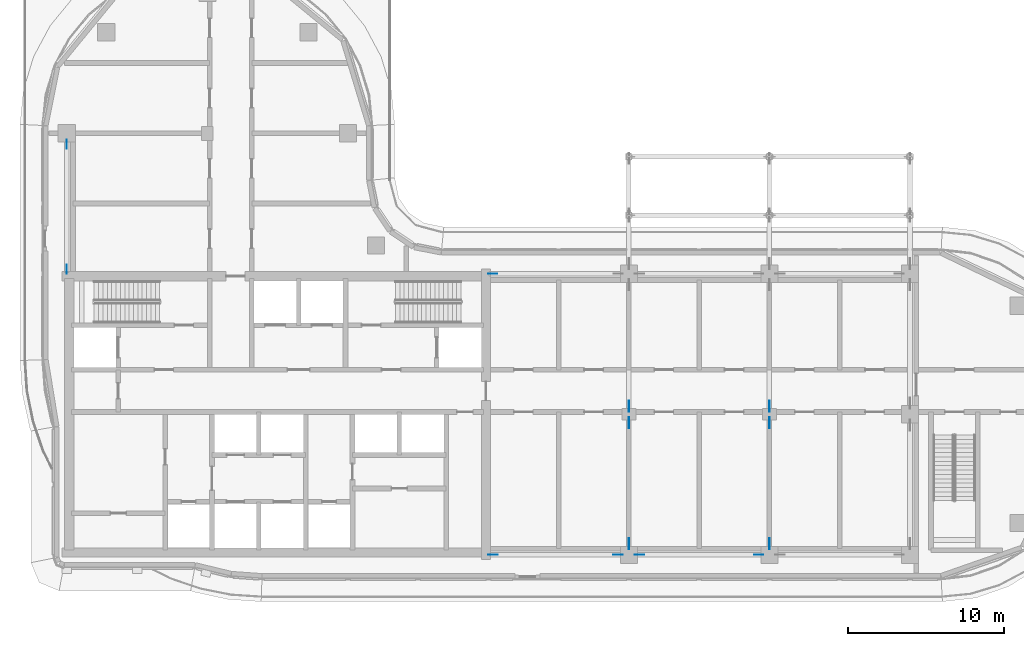
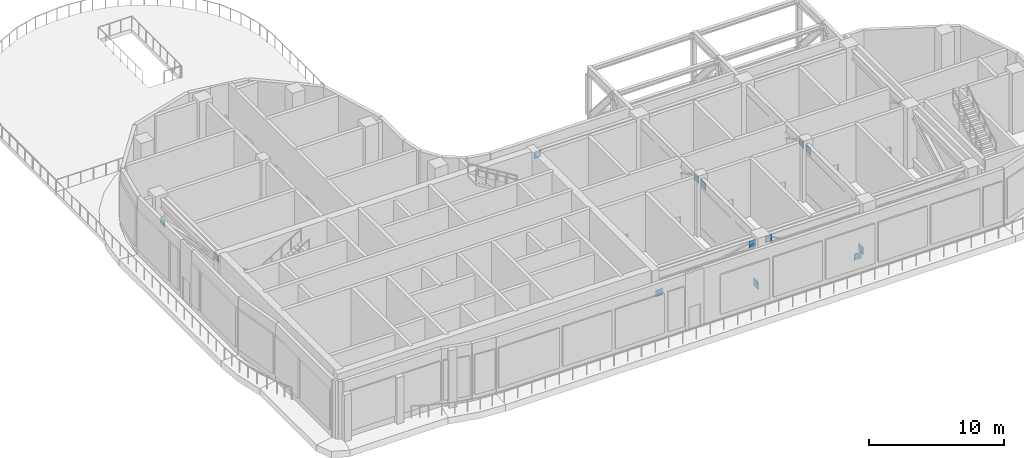
# One storey, part 10 of 18: 13 discrete accessories.
"""IFC4 building model written with IfcOpenShell, lengths in metres."""

from ifc_helpers import new_model, si_unit, direction, frame, origin, origin_2d, place, context, subcontext, project, spatial, rectangle, extrude, material, layer, layer_set, type_object, element, save


model = new_model("IFC4")

# Units and contexts
model_context = context("Model", 3, precision=1e-05, world=origin(), true_north=direction((0.0, 1.0)))
body_context = subcontext(model_context, "Body", "Model", "MODEL_VIEW")
ifc_project = project(units=[si_unit("LENGTHUNIT", "METRE"), si_unit("AREAUNIT", "SQUARE_METRE"), si_unit("VOLUMEUNIT", "CUBIC_METRE"), si_unit("PLANEANGLEUNIT", "RADIAN"), si_unit("MASSUNIT", "GRAM", prefix="KILO")], contexts=[model_context])

# Site, building, storey
site_placement = place(None, origin())
site = spatial("IfcSite", under=ifc_project, at=site_placement, CompositionType="ELEMENT")
building_placement = place(site_placement, origin())
building = spatial("IfcBuilding", under=site, at=building_placement, Name="Ogive Portal Towers", CompositionType="ELEMENT")
storey_placement = place(building_placement, frame((0.0, 0.0, 190.300048828125)))
storey = spatial("IfcBuildingStorey", under=building, at=storey_placement, Name="L47", CompositionType="ELEMENT", Elevation=190.300048828125)

# Discrete accessories
ifc_material = material(Name="Steel S355", Category="steel")
ifc_layer_1 = layer(ifc_material, 0.02001953125)
ifc_layer_set_1 = layer_set([ifc_layer_1], Name="GUSSET PLATE 600x600x20")
discrete_accessory_type_1 = type_object("IfcDiscreteAccessoryType", Name="GUSSET PLATE 600x600x20", PredefinedType="BRACKET", material=ifc_layer_set_1)
for number, where, z_axis, x_axis, name in (
    (1, (68.18115234375, 21.5, 4.420166015625), (0.0, 0.0, 1.0), (1.0, 0.0, 0.0), "Gusset plate"),
    (2, (75.81884765625, 21.5, 0.1796875), (0.0, 0.0, 1.0), (1.0, 0.0, 0.0), "Gusset plate"),
    (3, (58.78271484375, 39.5, 4.4228515625), (0.0, 0.0, 1.0), (-1.0, 0.0, 0.0), "Gusset plate"),
    (4, (58.797119140625, 21.5, 2.8369140625), (0.0, 0.0, 1.0), (1.0, 0.0, 0.0), "Gusset plate"),
    (5, (66.802978515625, 21.5, 4.462890625), (0.0, 0.0, 1.0), (1.0, 0.0, 0.0), "Gusset plate"),
    (6, (31.5, 47.802978515625, 2.8369140625), (0.0, 0.0, 1.0), (0.0, -1.0, 0.0), "Gusset plate"),
    (7, (31.5, 39.797119140625, 4.462890625), (0.0, 0.0, 1.0), (0.0, -1.0, 0.0), "Gusset plate"),
):
    element("IfcDiscreteAccessory", number, at=place(storey_placement, frame(where, z_axis=z_axis, x_axis=x_axis)), inside=storey, type_object=discrete_accessory_type_1, Name=name, PredefinedType="BRACKET", context=body_context, shape_type="SweptSolid", body=[
        extrude(rectangle(XDim=0.60009765625, YDim=0.02001953125, at=origin_2d()), origin(), (0.0, 0.0, 1.0), 0.60009765625),
    ])
ifc_layer_2 = layer(ifc_material, 0.02001953125)
ifc_layer_set_2 = layer_set([ifc_layer_2], Name="GUSSET PLATE 700x700x20")
discrete_accessory_type_2 = type_object("IfcDiscreteAccessoryType", Name="GUSSET PLATE 700x700x20", PredefinedType="BRACKET", material=ifc_layer_set_2)
for number, where, z_axis, x_axis, name in (
    (8, (67.5, 22.203857421875, 0.140625), (0.0, 0.0, 1.0), (0.0, 1.0, 0.0), "Gusset plate"),
    (9, (67.5, 29.97119140625, 4.359375), (0.0, 0.0, 1.0), (0.0, 1.0, 0.0), "Gusset plate"),
    (10, (67.5, 31.02880859375, 4.359375), (0.0, 0.0, 1.0), (0.0, 1.0, 0.0), "Gusset plate"),
    (11, (76.5, 22.203857421875, 0.140625), (0.0, 0.0, 1.0), (0.0, 1.0, 0.0), "Gusset plate"),
    (12, (76.5, 29.97119140625, 4.359375), (0.0, 0.0, 1.0), (0.0, 1.0, 0.0), "Gusset plate"),
    (13, (76.5, 31.02880859375, 4.359375), (0.0, 0.0, 1.0), (0.0, 1.0, 0.0), "Gusset plate"),
):
    element("IfcDiscreteAccessory", number, at=place(storey_placement, frame(where, z_axis=z_axis, x_axis=x_axis)), inside=storey, type_object=discrete_accessory_type_2, Name=name, PredefinedType="BRACKET", context=body_context, shape_type="SweptSolid", body=[
        extrude(rectangle(XDim=0.699951171875, YDim=0.02001953125, at=origin_2d()), origin(), (0.0, 0.0, 1.0), 0.699951171875),
    ])

save(model, "model.ifc")
